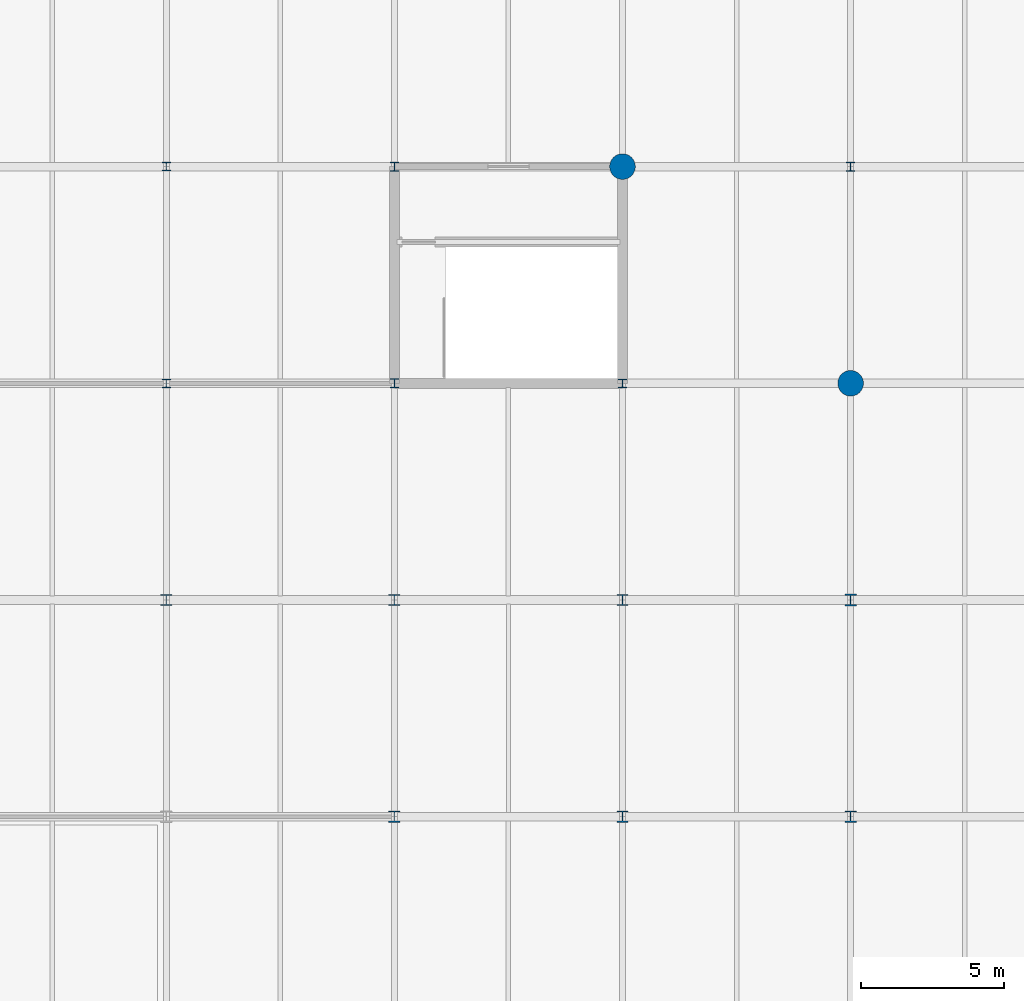
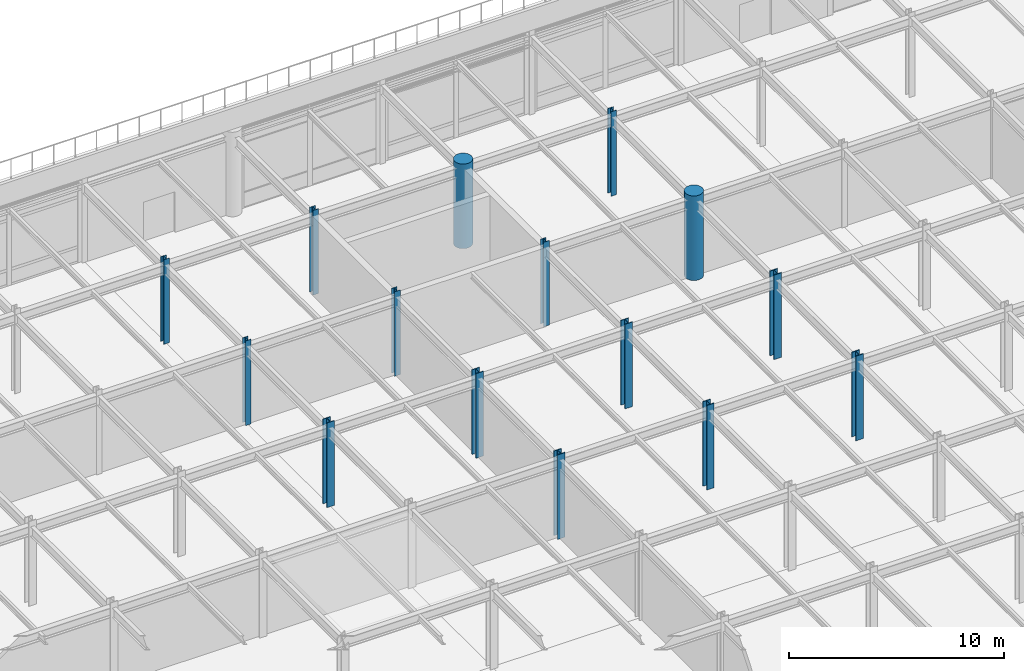
# One storey, part 4 of 43: 15 columns.
"""IFC4 building model written with IfcOpenShell, lengths in metres."""

from ifc_helpers import new_model, si_unit, direction, frame, origin, origin_2d, place, context, subcontext, project, spatial, circle, i_section, extrude, material, material_profile, profile_set, type_object, element, save


model = new_model("IFC4")

# Units and contexts
model_context = context("Model", 3, precision=1e-05, world=origin(), true_north=direction((0.0, 1.0)))
body_context = subcontext(model_context, "Body", "Model", "MODEL_VIEW")
ifc_project = project(units=[si_unit("LENGTHUNIT", "METRE"), si_unit("AREAUNIT", "SQUARE_METRE"), si_unit("VOLUMEUNIT", "CUBIC_METRE"), si_unit("PLANEANGLEUNIT", "RADIAN"), si_unit("MASSUNIT", "GRAM", prefix="KILO")], contexts=[model_context])

# Site, building, storey
site_placement = place(None, origin())
site = spatial("IfcSite", under=ifc_project, at=site_placement, CompositionType="ELEMENT")
building_placement = place(site_placement, origin())
building = spatial("IfcBuilding", under=site, at=building_placement, Name="Shalkamar Park Central Library", CompositionType="ELEMENT")
storey_placement = place(building_placement, frame((0.0, 0.0, 15.60009765625)))
storey = spatial("IfcBuildingStorey", under=building, at=storey_placement, Name="L04", CompositionType="ELEMENT", Elevation=15.60009765625)

# Columns
ifc_material_1 = material(Name="Concrete C40/50", Category="concrete")
ifc_material_profile_1 = material_profile(ifc_material_1, circle(Radius=0.449951171875, at=origin_2d()), Name="RC D900")
ifc_profile_set_1 = profile_set([ifc_material_profile_1], Name="Concrete C40/50")
column_type_1 = type_object("IfcColumnType", Name="Column Concrete RCD900", PredefinedType="COLUMN", material=ifc_profile_set_1)
for number, where, z_axis, x_axis, name in (
    (1, (205.0, 308.39990234375, 0.0), (0.0, 0.0, 1.0), (1.0, 0.0, 0.0), "Column 12/K (L04)"),
    (2, (213.0, 300.800048828125, 0.0), (0.0, 0.0, 1.0), (1.0, 0.0, 0.0), "Column 13/J (L04)"),
):
    element("IfcColumn", number, at=place(storey_placement, frame(where, z_axis=z_axis, x_axis=x_axis)), inside=storey, type_object=column_type_1, Name=name, PredefinedType="COLUMN", context=body_context, shape_type="SweptSolid", body=[
        extrude(circle(Radius=0.449951171875, at=origin_2d()), origin(), (0.0, 0.0, 1.0), 4.7998046875),
    ])
ifc_material_2 = material(Name="Steel S355", Category="steel")
ifc_material_profile_2 = material_profile(ifc_material_2, i_section(OverallWidth=0.40087890625, OverallDepth=0.39892578125, WebThickness=0.02490234375, FlangeThickness=0.03955078125, FilletRadius=0.014892578125, at=origin_2d()), Name="HD 400x314")
ifc_profile_set_2 = profile_set([ifc_material_profile_2], Name="Steel S355")
column_type_2 = type_object("IfcColumnType", Name="Column Steel HD400x314", PredefinedType="COLUMN", material=ifc_profile_set_2)
for number, where, z_axis, x_axis, name in (
    (3, (189.0, 293.199951171875, 0.0), (0.0, 0.0, 1.0), (1.0, 0.0, 0.0), "Column 10/H (L04)"),
    (4, (197.0, 285.60009765625, 0.0), (0.0, 0.0, 1.0), (1.0, 0.0, 0.0), "Column 11/G (L04)"),
    (5, (197.0, 293.199951171875, 0.0), (0.0, 0.0, 1.0), (1.0, 0.0, 0.0), "Column 11/H (L04)"),
    (6, (205.0, 285.60009765625, 0.0), (0.0, 0.0, 1.0), (1.0, 0.0, 0.0), "Column 12/G (L04)"),
    (7, (205.0, 293.199951171875, 0.0), (0.0, 0.0, 1.0), (1.0, 0.0, 0.0), "Column 12/H (L04)"),
):
    element("IfcColumn", number, at=place(storey_placement, frame(where, z_axis=z_axis, x_axis=x_axis)), inside=storey, type_object=column_type_2, Name=name, PredefinedType="COLUMN", context=body_context, shape_type="SweptSolid", body=[
        extrude(i_section(OverallWidth=0.40087890625, OverallDepth=0.39892578125, WebThickness=0.02490234375, FlangeThickness=0.03955078125, FilletRadius=0.014892578125, at=origin_2d()), origin(), (0.0, 0.0, 1.0), 4.7998046875),
    ])
ifc_material_profile_3 = material_profile(ifc_material_2, i_section(OverallWidth=0.406005859375, OverallDepth=0.416015625, WebThickness=0.02978515625, FlangeThickness=0.048095703125, FilletRadius=0.014892578125, at=origin_2d()), Name="HD 400x382")
ifc_profile_set_3 = profile_set([ifc_material_profile_3], Name="Steel S355")
column_type_3 = type_object("IfcColumnType", Name="Column Steel HD400x382", PredefinedType="COLUMN", material=ifc_profile_set_3)
for number, where, z_axis, x_axis, name in (
    (8, (213.0, 285.60009765625, 0.0), (0.0, 0.0, 1.0), (1.0, 0.0, 0.0), "Column 13/G (L04)"),
    (9, (213.0, 293.199951171875, 0.0), (0.0, 0.0, 1.0), (1.0, 0.0, 0.0), "Column 13/H (L04)"),
):
    element("IfcColumn", number, at=place(storey_placement, frame(where, z_axis=z_axis, x_axis=x_axis)), inside=storey, type_object=column_type_3, Name=name, PredefinedType="COLUMN", context=body_context, shape_type="SweptSolid", body=[
        extrude(i_section(OverallWidth=0.406005859375, OverallDepth=0.416015625, WebThickness=0.02978515625, FlangeThickness=0.048095703125, FilletRadius=0.014892578125, at=origin_2d()), origin(), (0.0, 0.0, 1.0), 4.7998046875),
    ])
ifc_material_profile_4 = material_profile(ifc_material_2, i_section(OverallWidth=0.300048828125, OverallDepth=0.300048828125, WebThickness=0.010986328125, FlangeThickness=0.01904296875, FilletRadius=0.027099609375, at=origin_2d()), Name="HEB 300")
ifc_profile_set_4 = profile_set([ifc_material_profile_4], Name="Steel S355")
column_type_4 = type_object("IfcColumnType", Name="Column Steel HEB300", PredefinedType="COLUMN", material=ifc_profile_set_4)
for number, where, z_axis, x_axis, name in (
    (10, (189.0, 300.800048828125, 0.0), (0.0, 0.0, 1.0), (1.0, 0.0, 0.0), "Column 10/J (L04)"),
    (11, (189.0, 308.39990234375, 0.0), (0.0, 0.0, 1.0), (1.0, 0.0, 0.0), "Column 10/K (L04)"),
    (12, (205.0, 300.800048828125, 0.0), (0.0, 0.0, 1.0), (1.0, 0.0, 0.0), "Column 12/J (L04)"),
):
    element("IfcColumn", number, at=place(storey_placement, frame(where, z_axis=z_axis, x_axis=x_axis)), inside=storey, type_object=column_type_4, Name=name, PredefinedType="COLUMN", context=body_context, shape_type="SweptSolid", body=[
        extrude(i_section(OverallWidth=0.300048828125, OverallDepth=0.300048828125, WebThickness=0.010986328125, FlangeThickness=0.01904296875, FilletRadius=0.027099609375, at=origin_2d()), origin(), (0.0, 0.0, 1.0), 4.7998046875),
    ])
ifc_material_profile_5 = material_profile(ifc_material_2, i_section(OverallWidth=0.300048828125, OverallDepth=0.320068359375, WebThickness=0.011474609375, FlangeThickness=0.0205078125, FilletRadius=0.027099609375, at=origin_2d()), Name="HEB 320")
ifc_profile_set_5 = profile_set([ifc_material_profile_5], Name="Steel S355")
column_type_5 = type_object("IfcColumnType", Name="Column Steel HEB320", PredefinedType="COLUMN", material=ifc_profile_set_5)
for number, where, z_axis, x_axis, name in (
    (13, (197.0, 300.800048828125, 0.0), (0.0, 0.0, 1.0), (1.0, 0.0, 0.0), "Column 11/J (L04)"),
    (14, (197.0, 308.39990234375, 0.0), (0.0, 0.0, 1.0), (1.0, 0.0, 0.0), "Column 11/K (L04)"),
    (15, (213.0, 308.39990234375, 0.0), (0.0, 0.0, 1.0), (1.0, 0.0, 0.0), "Column 13/K (L04)"),
):
    element("IfcColumn", number, at=place(storey_placement, frame(where, z_axis=z_axis, x_axis=x_axis)), inside=storey, type_object=column_type_5, Name=name, PredefinedType="COLUMN", context=body_context, shape_type="SweptSolid", body=[
        extrude(i_section(OverallWidth=0.300048828125, OverallDepth=0.320068359375, WebThickness=0.011474609375, FlangeThickness=0.0205078125, FilletRadius=0.027099609375, at=origin_2d()), origin(), (0.0, 0.0, 1.0), 4.7998046875),
    ])

save(model, "model.ifc")
